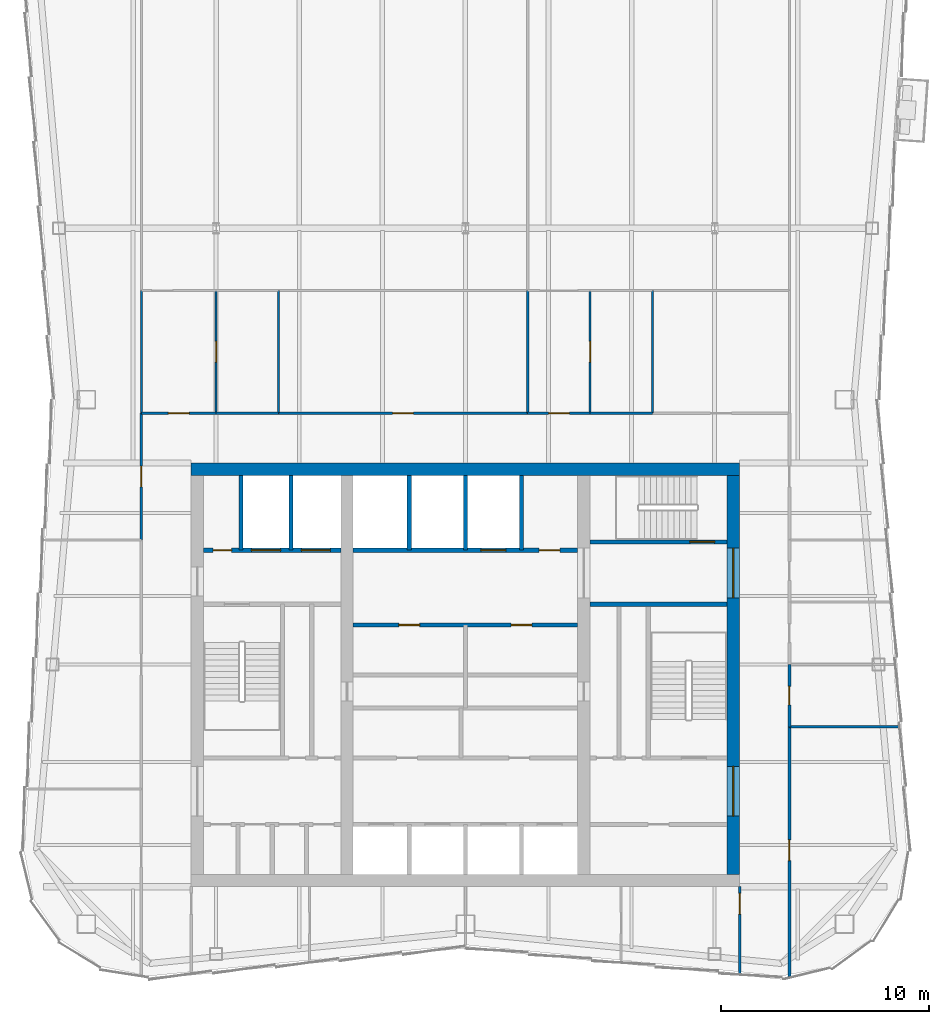
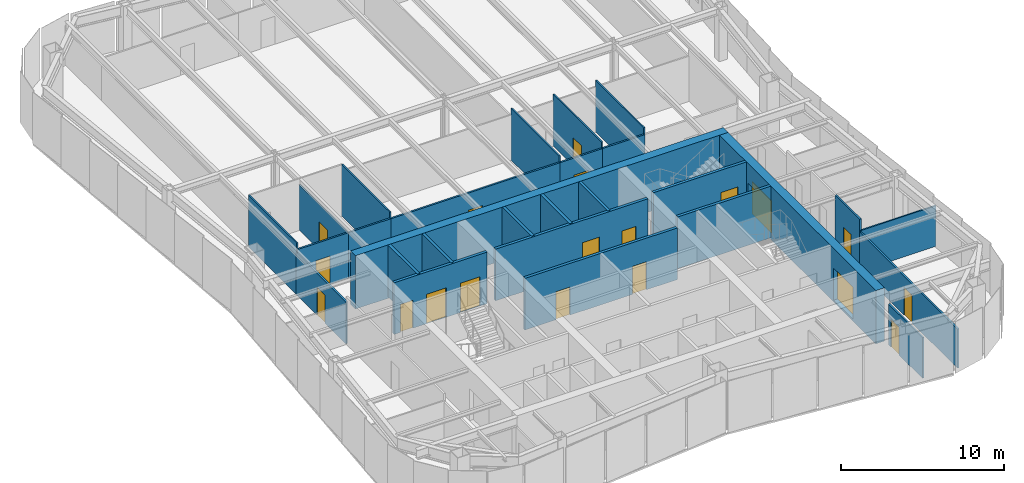
# One storey, part 7 of 11: 28 walls, 19 doors, 19 openings.
"""IFC4 building model written with IfcOpenShell, lengths in metres."""

from ifc_helpers import new_model, si_unit, direction, frame, frame_2d, origin, place, context, subcontext, project, spatial, rectangle, extrude, material, layer, layer_set, type_object, element, fill, save


model = new_model("IFC4")

# Units and contexts
model_context = context("Model", 3, precision=1e-05, world=origin(), true_north=direction((0.0, 1.0)))
body_context = subcontext(model_context, "Body", "Model", "MODEL_VIEW")
ifc_project = project(units=[si_unit("LENGTHUNIT", "METRE"), si_unit("AREAUNIT", "SQUARE_METRE"), si_unit("VOLUMEUNIT", "CUBIC_METRE"), si_unit("PLANEANGLEUNIT", "RADIAN"), si_unit("MASSUNIT", "GRAM", prefix="KILO")], contexts=[model_context])

# Site, building, storey
site_placement = place(None, origin())
site = spatial("IfcSite", under=ifc_project, at=site_placement, CompositionType="ELEMENT")
building_placement = place(site_placement, origin())
building = spatial("IfcBuilding", under=site, at=building_placement, Name="Verdant Reach Tower", CompositionType="ELEMENT")
storey_placement = place(building_placement, frame((0.0, 0.0, 298.0)))
storey = spatial("IfcBuildingStorey", under=building, at=storey_placement, Name="L68", CompositionType="ELEMENT", Elevation=298.0)

# Wall, openings, doors
ifc_material_1 = material(Name="Gypsum board on steel studs", Category="steel")
ifc_layer_1 = layer(ifc_material_1, 0.199951171875)
ifc_layer_set_1 = layer_set([ifc_layer_1], Name="CO-WALL-ROOM")
wall_type_1 = type_object("IfcWallType", Name="CO-WALL-ROOM", PredefinedType="PARTITIONING", material=ifc_layer_set_1)
wall_1_placement = place(storey_placement, frame((-5.39990234375, 30.39990234375, 0.0), z_axis=(0.0, 0.0, 1.0), x_axis=(1.0, 0.0, 0.0)))
wall_1 = element("IfcWall", 1, at=wall_1_placement, inside=storey, type_object=wall_type_1, Name="Core partition, L68", PredefinedType="PARTITIONING", context=body_context, shape_type="SweptSolid", body=[
    extrude(rectangle(XDim=10.7998046875, YDim=0.199951171875, at=frame_2d((5.39990234375, 0.0))), origin(), (0.0, 0.0, 1.0), 3.8701171875),
])
opening_1_placement = place(wall_1_placement, frame((2.199951171875, 0.0, 0.0)))
opening_1 = element("IfcOpeningElement", 2, at=opening_1_placement, cuts=wall_1, Name="Opening CD", PredefinedType="OPENING", context=body_context, shape_type="SweptSolid", body=[
    extrude(rectangle(XDim=1.0, YDim=2.10009765625, at=frame_2d((0.5, 1.050048828125))), frame((0.0, 0.10986328125, 0.0), z_axis=(0.0, -1.0, 0.0), x_axis=(1.0, 0.0, 0.0)), (0.0, 0.0, 1.0), 0.219970703125),
])
opening_2_placement = place(wall_1_placement, frame((7.60009765625, 0.0, 0.0)))
opening_2 = element("IfcOpeningElement", 3, at=opening_2_placement, cuts=wall_1, Name="Opening CD", PredefinedType="OPENING", context=body_context, shape_type="SweptSolid", body=[
    extrude(rectangle(XDim=1.0, YDim=2.10009765625, at=frame_2d((0.5, 1.050048828125))), frame((0.0, 0.10986328125, 0.0), z_axis=(0.0, -1.0, 0.0), x_axis=(1.0, 0.0, 0.0)), (0.0, 0.0, 1.0), 0.219970703125),
])
ifc_material_2 = material(Name="Timber", Category="wood")
door_type_1 = type_object("IfcDoorType", Name="CO-DOOR-ROOM", OperationType="NOTDEFINED", PredefinedType="DOOR", material=ifc_material_2)
door_1_placement = place(opening_1_placement, origin())
door_1 = element("IfcDoor", 4, at=door_1_placement, inside=storey, type_object=door_type_1, Name="Core room door, L68", OperationType="SINGLE_SWING_LEFT", OverallHeight=2.10009765625, OverallWidth=1.0, PredefinedType="DOOR", context=body_context, shape_type="SweptSolid", body=[
    extrude(rectangle(XDim=1.0, YDim=2.10009765625, at=frame_2d((0.5, 1.050048828125))), frame((0.0, 0.02490234375, 0.0), z_axis=(0.0, -1.0, 0.0), x_axis=(1.0, 0.0, 0.0)), (0.0, 0.0, 1.0), 0.050048828125),
])
fill(opening_1, door_1)
door_2_placement = place(opening_2_placement, origin())
door_2 = element("IfcDoor", 5, at=door_2_placement, inside=storey, type_object=door_type_1, Name="Core room door, L68", OperationType="SINGLE_SWING_RIGHT", OverallHeight=2.10009765625, OverallWidth=1.0, PredefinedType="DOOR", context=body_context, shape_type="SweptSolid", body=[
    extrude(rectangle(XDim=1.0, YDim=2.10009765625, at=frame_2d((0.5, 1.050048828125))), frame((0.0, 0.02490234375, 0.0), z_axis=(0.0, -1.0, 0.0), x_axis=(1.0, 0.0, 0.0)), (0.0, 0.0, 1.0), 0.050048828125),
])
fill(opening_2, door_2)

ifc_material_3 = material(Name="Concrete C40/50", Category="concrete")
ifc_layer_2 = layer(ifc_material_3, 0.199951171875)
ifc_layer_set_2 = layer_set([ifc_layer_2], Name="CO-WALL-SHAFT")
wall_type_2 = type_object("IfcWallType", Name="CO-WALL-SHAFT", PredefinedType="PARTITIONING", material=ifc_layer_set_2)
wall_2_placement = place(storey_placement, frame((-12.60009765625, 34.0, 0.0), z_axis=(0.0, 0.0, 1.0), x_axis=(1.0, 0.0, 0.0)))
wall_2 = element("IfcWall", 6, at=wall_2_placement, inside=storey, type_object=wall_type_2, Name="Lift shaft wall, L68", PredefinedType="PARTITIONING", context=body_context, shape_type="SweptSolid", body=[
    extrude(rectangle(XDim=6.60009765625, YDim=0.199951171875, at=frame_2d((3.300048828125, 0.0))), origin(), (0.0, 0.0, 1.0), 3.8701171875),
])
opening_3_placement = place(wall_2_placement, frame((4.699951171875, 0.0, 0.0)))
opening_3 = element("IfcOpeningElement", 7, at=opening_3_placement, cuts=wall_2, Name="Opening LD-F1", PredefinedType="OPENING", context=body_context, shape_type="SweptSolid", body=[
    extrude(rectangle(XDim=1.39990234375, YDim=2.199951171875, at=frame_2d((0.699951171875, 1.10009765625))), frame((0.0, 0.10986328125, 0.0), z_axis=(0.0, -1.0, 0.0), x_axis=(1.0, 0.0, 0.0)), (0.0, 0.0, 1.0), 0.219970703125),
])
opening_4_placement = place(wall_2_placement, frame((2.300048828125, 0.0, 0.0)))
opening_4 = element("IfcOpeningElement", 8, at=opening_4_placement, cuts=wall_2, Name="Opening LD-F2", PredefinedType="OPENING", context=body_context, shape_type="SweptSolid", body=[
    extrude(rectangle(XDim=1.39990234375, YDim=2.199951171875, at=frame_2d((0.699951171875, 1.10009765625))), frame((0.0, 0.10986328125, 0.0), z_axis=(0.0, -1.0, 0.0), x_axis=(1.0, 0.0, 0.0)), (0.0, 0.0, 1.0), 0.219970703125),
])
opening_5_placement = place(wall_2_placement, frame((0.449951171875, 0.0, 0.0)))
opening_5 = element("IfcOpeningElement", 9, at=opening_5_placement, cuts=wall_2, Name="Opening RD", PredefinedType="OPENING", context=body_context, shape_type="SweptSolid", body=[
    extrude(rectangle(XDim=0.89990234375, YDim=2.10009765625, at=frame_2d((0.449951171875, 1.050048828125))), frame((0.0, 0.10986328125, 0.0), z_axis=(0.0, -1.0, 0.0), x_axis=(1.0, 0.0, 0.0)), (0.0, 0.0, 1.0), 0.219970703125),
])
ifc_material_4 = material(Name="Stainless steel", Category="steel")
door_type_2 = type_object("IfcDoorType", Name="CO-DOOR-LANDING-FF", OperationType="SLIDING_TO_LEFT", PredefinedType="DOOR", material=ifc_material_4)
door_3_placement = place(opening_3_placement, origin())
door_3 = element("IfcDoor", 10, at=door_3_placement, inside=storey, type_object=door_type_2, Name="Landing door F1, L68", OperationType="SLIDING_TO_LEFT", OverallHeight=2.199951171875, OverallWidth=1.39990234375, PredefinedType="DOOR", context=body_context, shape_type="SweptSolid", body=[
    extrude(rectangle(XDim=1.39990234375, YDim=2.199951171875, at=frame_2d((0.699951171875, 1.10009765625))), frame((0.0, 0.02490234375, 0.0), z_axis=(0.0, -1.0, 0.0), x_axis=(1.0, 0.0, 0.0)), (0.0, 0.0, 1.0), 0.050048828125),
])
fill(opening_3, door_3)
door_4_placement = place(opening_4_placement, origin())
door_4 = element("IfcDoor", 11, at=door_4_placement, inside=storey, type_object=door_type_2, Name="Landing door F2, L68", OperationType="SLIDING_TO_LEFT", OverallHeight=2.199951171875, OverallWidth=1.39990234375, PredefinedType="DOOR", context=body_context, shape_type="SweptSolid", body=[
    extrude(rectangle(XDim=1.39990234375, YDim=2.199951171875, at=frame_2d((0.699951171875, 1.10009765625))), frame((0.0, 0.02490234375, 0.0), z_axis=(0.0, -1.0, 0.0), x_axis=(1.0, 0.0, 0.0)), (0.0, 0.0, 1.0), 0.050048828125),
])
fill(opening_4, door_4)
ifc_material_5 = material(Name="Steel", Category="steel")
door_type_3 = type_object("IfcDoorType", Name="CO-DOOR-RISER", OperationType="NOTDEFINED", PredefinedType="DOOR", material=ifc_material_5)
door_5_placement = place(opening_5_placement, origin())
door_5 = element("IfcDoor", 12, at=door_5_placement, inside=storey, type_object=door_type_3, Name="Core room door, L68", OperationType="SINGLE_SWING_RIGHT", OverallHeight=2.10009765625, OverallWidth=0.89990234375, PredefinedType="DOOR", context=body_context, shape_type="SweptSolid", body=[
    extrude(rectangle(XDim=0.89990234375, YDim=2.10009765625, at=frame_2d((0.449951171875, 1.050048828125))), frame((0.0, 0.02490234375, 0.0), z_axis=(0.0, -1.0, 0.0), x_axis=(1.0, 0.0, 0.0)), (0.0, 0.0, 1.0), 0.050048828125),
])
fill(opening_5, door_5)

wall_3_placement = place(storey_placement, frame((-5.39990234375, 34.0, 0.0), z_axis=(0.0, 0.0, 1.0), x_axis=(1.0, 0.0, 0.0)))
wall_3 = element("IfcWall", 13, at=wall_3_placement, inside=storey, type_object=wall_type_2, Name="Lift shaft wall, L68", PredefinedType="PARTITIONING", context=body_context, shape_type="SweptSolid", body=[
    extrude(rectangle(XDim=10.7998046875, YDim=0.199951171875, at=frame_2d((5.39990234375, 0.0))), origin(), (0.0, 0.0, 1.0), 3.8701171875),
])
opening_6_placement = place(wall_3_placement, frame((6.14990234375, 0.0, 0.0)))
opening_6 = element("IfcOpeningElement", 14, at=opening_6_placement, cuts=wall_3, Name="Opening LD-SL1", PredefinedType="OPENING", context=body_context, shape_type="SweptSolid", body=[
    extrude(rectangle(XDim=1.199951171875, YDim=2.199951171875, at=frame_2d((0.60009765625, 1.10009765625))), frame((0.0, 0.10986328125, 0.0), z_axis=(0.0, -1.0, 0.0), x_axis=(1.0, 0.0, 0.0)), (0.0, 0.0, 1.0), 0.219970703125),
])
opening_7_placement = place(wall_3_placement, frame((8.949951171875, 0.0, 0.0)))
opening_7 = element("IfcOpeningElement", 15, at=opening_7_placement, cuts=wall_3, Name="Opening CD", PredefinedType="OPENING", context=body_context, shape_type="SweptSolid", body=[
    extrude(rectangle(XDim=1.0, YDim=2.10009765625, at=frame_2d((0.5, 1.050048828125))), frame((0.0, 0.10986328125, 0.0), z_axis=(0.0, -1.0, 0.0), x_axis=(1.0, 0.0, 0.0)), (0.0, 0.0, 1.0), 0.219970703125),
])
door_type_4 = type_object("IfcDoorType", Name="CO-DOOR-LANDING", OperationType="SLIDING_TO_LEFT", PredefinedType="DOOR", material=ifc_material_4)
door_6_placement = place(opening_6_placement, origin())
door_6 = element("IfcDoor", 16, at=door_6_placement, inside=storey, type_object=door_type_4, Name="Landing door SL1, L68", OperationType="SLIDING_TO_LEFT", OverallHeight=2.199951171875, OverallWidth=1.199951171875, PredefinedType="DOOR", context=body_context, shape_type="SweptSolid", body=[
    extrude(rectangle(XDim=1.199951171875, YDim=2.199951171875, at=frame_2d((0.60009765625, 1.10009765625))), frame((0.0, 0.02490234375, 0.0), z_axis=(0.0, -1.0, 0.0), x_axis=(1.0, 0.0, 0.0)), (0.0, 0.0, 1.0), 0.050048828125),
])
fill(opening_6, door_6)
door_7_placement = place(opening_7_placement, origin())
door_7 = element("IfcDoor", 17, at=door_7_placement, inside=storey, type_object=door_type_1, Name="Core room door, L68", OperationType="SINGLE_SWING_LEFT", OverallHeight=2.10009765625, OverallWidth=1.0, PredefinedType="DOOR", context=body_context, shape_type="SweptSolid", body=[
    extrude(rectangle(XDim=1.0, YDim=2.10009765625, at=frame_2d((0.5, 1.050048828125))), frame((0.0, 0.02490234375, 0.0), z_axis=(0.0, -1.0, 0.0), x_axis=(1.0, 0.0, 0.0)), (0.0, 0.0, 1.0), 0.050048828125),
])
fill(opening_7, door_7)

# Walls
for number, where, z_axis, x_axis, name in (
    (18, (-10.800048828125, 34.0, 0.0), (0.0, 0.0, 1.0), (0.0, 1.0, 0.0), "Lift shaft wall, L68"),
    (19, (-8.39990234375, 34.0, 0.0), (0.0, 0.0, 1.0), (0.0, 1.0, 0.0), "Lift shaft wall, L68"),
    (20, (-2.699951171875, 34.0, 0.0), (0.0, 0.0, 1.0), (0.0, 1.0, 0.0), "Lift shaft wall, L68"),
    (21, (0.0, 34.0, 0.0), (0.0, 0.0, 1.0), (0.0, 1.0, 0.0), "Lift shaft wall, L68"),
    (22, (2.699951171875, 34.0, 0.0), (0.0, 0.0, 1.0), (0.0, 1.0, 0.0), "Lift shaft wall, L68"),
):
    element("IfcWall", number, at=place(storey_placement, frame(where, z_axis=z_axis, x_axis=x_axis)), inside=storey, type_object=wall_type_2, Name=name, PredefinedType="PARTITIONING", context=body_context, shape_type="SweptSolid", body=[
        extrude(rectangle(XDim=3.60009765625, YDim=0.199951171875, at=frame_2d((1.800048828125, 0.0))), origin(), (0.0, 0.0, 1.0), 3.8701171875),
    ])
ifc_layer_3 = layer(ifc_material_3, 0.199951171875)
ifc_layer_set_3 = layer_set([ifc_layer_3], Name="CO-WALL-STAIR")
wall_type_3 = type_object("IfcWallType", Name="CO-WALL-STAIR", PredefinedType="PARTITIONING", material=ifc_layer_set_3)
wall_4_placement = place(storey_placement, frame((6.0, 31.39990234375, 0.0), z_axis=(0.0, 0.0, 1.0), x_axis=(1.0, 0.0, 0.0)))
element("IfcWall", 23, at=wall_4_placement, inside=storey, type_object=wall_type_3, Name="Stair enclosure wall, L68", PredefinedType="PARTITIONING", context=body_context, shape_type="SweptSolid", body=[
    extrude(rectangle(XDim=6.60009765625, YDim=0.199951171875, at=frame_2d((3.300048828125, 0.0))), origin(), (0.0, 0.0, 1.0), 3.8701171875),
])

# Wall, opening, door
wall_5_placement = place(storey_placement, frame((6.0, 34.39990234375, 0.0), z_axis=(0.0, 0.0, 1.0), x_axis=(1.0, 0.0, 0.0)))
wall_5 = element("IfcWall", 24, at=wall_5_placement, inside=storey, type_object=wall_type_3, Name="Stair enclosure wall, L68", PredefinedType="PARTITIONING", context=body_context, shape_type="SweptSolid", body=[
    extrude(rectangle(XDim=6.60009765625, YDim=0.199951171875, at=frame_2d((3.300048828125, 0.0))), origin(), (0.0, 0.0, 1.0), 3.8701171875),
])
opening_8_placement = place(wall_5_placement, frame((4.800048828125, 0.0, 0.0)))
opening_8 = element("IfcOpeningElement", 25, at=opening_8_placement, cuts=wall_5, Name="Opening SD", PredefinedType="OPENING", context=body_context, shape_type="SweptSolid", body=[
    extrude(rectangle(XDim=1.199951171875, YDim=2.199951171875, at=frame_2d((0.60009765625, 1.10009765625))), frame((0.0, 0.10986328125, 0.0), z_axis=(0.0, -1.0, 0.0), x_axis=(1.0, 0.0, 0.0)), (0.0, 0.0, 1.0), 0.219970703125),
])
door_type_5 = type_object("IfcDoorType", Name="CO-DOOR-STAIR", OperationType="NOTDEFINED", PredefinedType="DOOR", material=ifc_material_5)
door_8_placement = place(opening_8_placement, origin())
door_8 = element("IfcDoor", 26, at=door_8_placement, inside=storey, type_object=door_type_5, Name="Stair door, L68", OperationType="SINGLE_SWING_RIGHT", OverallHeight=2.199951171875, OverallWidth=1.199951171875, PredefinedType="DOOR", context=body_context, shape_type="SweptSolid", body=[
    extrude(rectangle(XDim=1.199951171875, YDim=2.199951171875, at=frame_2d((0.60009765625, 1.10009765625))), frame((0.0, 0.02490234375, 0.0), z_axis=(0.0, -1.0, 0.0), x_axis=(1.0, 0.0, 0.0)), (0.0, 0.0, 1.0), 0.050048828125),
])
fill(opening_8, door_8)

# Walls
ifc_layer_4 = layer(ifc_material_1, 0.10009765625)
ifc_layer_set_4 = layer_set([ifc_layer_4], Name="FL-W1 Partition 100")
wall_type_4 = type_object("IfcWallType", Name="FL-W1 Partition 100", PredefinedType="PARTITIONING", material=ifc_layer_set_4)
wall_6_placement = place(storey_placement, frame((-15.60009765625, 40.60009765625, 0.0), z_axis=(0.0, 0.0, 1.0), x_axis=(0.0, 1.0, 0.0)))
element("IfcWall", 27, at=wall_6_placement, inside=storey, type_object=wall_type_4, Name="Partition 68.19", PredefinedType="PARTITIONING", context=body_context, shape_type="SweptSolid", body=[
    extrude(rectangle(XDim=5.89990234375, YDim=0.10009765625, at=frame_2d((2.949951171875, 0.0))), origin(), (0.0, 0.0, 1.0), 3.8701171875),
])
wall_7_placement = place(storey_placement, frame((20.916259765625, 25.5, 0.0), z_axis=(0.0, 0.0, 1.0), x_axis=(-1.0, 0.0, 0.0)))
element("IfcWall", 28, at=wall_7_placement, inside=storey, type_object=wall_type_4, Name="Partition 68.22", PredefinedType="PARTITIONING", context=body_context, shape_type="SweptSolid", body=[
    extrude(rectangle(XDim=5.316162109375, YDim=0.10009765625, at=frame_2d((2.658203125, 0.0))), origin(), (0.0, 0.0, 1.0), 3.0400390625),
])

# Wall, opening, door
wall_8_placement = place(storey_placement, frame((-12.0, 46.5, 0.0), z_axis=(0.0, 0.0, 1.0), x_axis=(0.0, -1.0, 0.0)))
wall_8 = element("IfcWall", 29, at=wall_8_placement, inside=storey, type_object=wall_type_4, Name="Partition 68.32", PredefinedType="PARTITIONING", context=body_context, shape_type="SweptSolid", body=[
    extrude(rectangle(XDim=5.89990234375, YDim=0.10009765625, at=frame_2d((2.949951171875, 0.0))), origin(), (0.0, 0.0, 1.0), 3.389892578125),
])
opening_9_placement = place(wall_8_placement, frame((2.449951171875, 0.0, 0.0)))
opening_9 = element("IfcOpeningElement", 30, at=opening_9_placement, cuts=wall_8, Name="Opening D3", PredefinedType="OPENING", context=body_context, shape_type="SweptSolid", body=[
    extrude(rectangle(XDim=1.0, YDim=2.10009765625, at=frame_2d((0.5, 1.050048828125))), frame((0.0, 0.06005859375, 0.0), z_axis=(0.0, -1.0, 0.0), x_axis=(1.0, 0.0, 0.0)), (0.0, 0.0, 1.0), 0.1201171875),
])
ifc_material_6 = material(Name="Painted timber door leaf", Category="wood")
door_type_6 = type_object("IfcDoorType", Name="FL-D3 Door 1000x2100", OperationType="NOTDEFINED", PredefinedType="DOOR", material=ifc_material_6)
door_9_placement = place(opening_9_placement, origin())
door_9 = element("IfcDoor", 31, at=door_9_placement, inside=storey, type_object=door_type_6, Name="Door 68-017", OperationType="SINGLE_SWING_LEFT", OverallHeight=2.10009765625, OverallWidth=1.0, PredefinedType="DOOR", context=body_context, shape_type="SweptSolid", body=[
    extrude(rectangle(XDim=1.0, YDim=2.10009765625, at=frame_2d((0.5, 1.050048828125))), frame((0.0, 0.02490234375, 0.0), z_axis=(0.0, -1.0, 0.0), x_axis=(1.0, 0.0, 0.0)), (0.0, 0.0, 1.0), 0.050048828125),
])
fill(opening_9, door_9)

# Walls
for number, where, z_axis, x_axis, name in (
    (32, (-9.0, 40.60009765625, 0.0), (0.0, 0.0, 1.0), (0.0, 1.0, 0.0), "Partition 68.34"),
    (33, (3.0, 40.60009765625, 0.0), (0.0, 0.0, 1.0), (0.0, 1.0, 0.0), "Partition 68.37"),
):
    element("IfcWall", number, at=place(storey_placement, frame(where, z_axis=z_axis, x_axis=x_axis)), inside=storey, type_object=wall_type_4, Name=name, PredefinedType="PARTITIONING", context=body_context, shape_type="SweptSolid", body=[
        extrude(rectangle(XDim=5.89990234375, YDim=0.10009765625, at=frame_2d((2.949951171875, 0.0))), origin(), (0.0, 0.0, 1.0), 3.8701171875),
    ])

# Wall, opening, door
wall_9_placement = place(storey_placement, frame((6.0, 46.5, 0.0), z_axis=(0.0, 0.0, 1.0), x_axis=(0.0, -1.0, 0.0)))
wall_9 = element("IfcWall", 34, at=wall_9_placement, inside=storey, type_object=wall_type_4, Name="Partition 68.43", PredefinedType="PARTITIONING", context=body_context, shape_type="SweptSolid", body=[
    extrude(rectangle(XDim=5.89990234375, YDim=0.10009765625, at=frame_2d((2.949951171875, 0.0))), origin(), (0.0, 0.0, 1.0), 3.8701171875),
])
opening_10_placement = place(wall_9_placement, frame((2.449951171875, 0.0, 0.0)))
opening_10 = element("IfcOpeningElement", 35, at=opening_10_placement, cuts=wall_9, Name="Opening D3", PredefinedType="OPENING", context=body_context, shape_type="SweptSolid", body=[
    extrude(rectangle(XDim=1.0, YDim=2.10009765625, at=frame_2d((0.5, 1.050048828125))), frame((0.0, 0.06005859375, 0.0), z_axis=(0.0, -1.0, 0.0), x_axis=(1.0, 0.0, 0.0)), (0.0, 0.0, 1.0), 0.1201171875),
])
door_10_placement = place(opening_10_placement, origin())
door_10 = element("IfcDoor", 36, at=door_10_placement, inside=storey, type_object=door_type_6, Name="Door 68-021", OperationType="SINGLE_SWING_LEFT", OverallHeight=2.10009765625, OverallWidth=1.0, PredefinedType="DOOR", context=body_context, shape_type="SweptSolid", body=[
    extrude(rectangle(XDim=1.0, YDim=2.10009765625, at=frame_2d((0.5, 1.050048828125))), frame((0.0, 0.02490234375, 0.0), z_axis=(0.0, -1.0, 0.0), x_axis=(1.0, 0.0, 0.0)), (0.0, 0.0, 1.0), 0.050048828125),
])
fill(opening_10, door_10)

# Wall
wall_10_placement = place(storey_placement, frame((9.0, 40.60009765625, 0.0), z_axis=(0.0, 0.0, 1.0), x_axis=(0.0, 1.0, 0.0)))
element("IfcWall", 37, at=wall_10_placement, inside=storey, type_object=wall_type_4, Name="Partition 68.45", PredefinedType="PARTITIONING", context=body_context, shape_type="SweptSolid", body=[
    extrude(rectangle(XDim=5.89990234375, YDim=0.10009765625, at=frame_2d((2.949951171875, 0.0))), origin(), (0.0, 0.0, 1.0), 3.8701171875),
])

# Wall, opening, door
ifc_material_7 = material(Name="Gypsum board on steel studs, fire rated", Category="steel")
ifc_layer_5 = layer(ifc_material_7, 0.125)
ifc_layer_set_5 = layer_set([ifc_layer_5], Name="FL-W2 Corridor wall 125")
wall_type_5 = type_object("IfcWallType", Name="FL-W2 Corridor wall 125", PredefinedType="PARTITIONING", material=ifc_layer_set_5)
wall_11_placement = place(storey_placement, frame((-15.60009765625, 34.5, 0.0), z_axis=(0.0, 0.0, 1.0), x_axis=(0.0, 1.0, 0.0)))
wall_11 = element("IfcWall", 38, at=wall_11_placement, inside=storey, type_object=wall_type_5, Name="Partition 68.03", PredefinedType="PARTITIONING", context=body_context, shape_type="SweptSolid", body=[
    extrude(rectangle(XDim=6.10400390625, YDim=0.125, at=frame_2d((3.052001953125, 0.0))), origin(), (0.0, 0.0, 1.0), 3.139892578125),
])
opening_11_placement = place(wall_11_placement, frame((2.552001953125, 0.0, 0.0)))
opening_11 = element("IfcOpeningElement", 39, at=opening_11_placement, cuts=wall_11, Name="Opening D2", PredefinedType="OPENING", context=body_context, shape_type="SweptSolid", body=[
    extrude(rectangle(XDim=1.0, YDim=2.10009765625, at=frame_2d((0.5, 1.050048828125))), frame((0.0, 0.072509765625, 0.0), z_axis=(0.0, -1.0, 0.0), x_axis=(1.0, 0.0, 0.0)), (0.0, 0.0, 1.0), 0.14501953125),
])
ifc_material_8 = material(Name="Timber door leaf, fire rated", Category="wood")
door_type_7 = type_object("IfcDoorType", Name="FL-D2 Entrance door 1000x2100 FD30", OperationType="NOTDEFINED", PredefinedType="DOOR", material=ifc_material_8)
door_11_placement = place(opening_11_placement, origin())
door_11 = element("IfcDoor", 40, at=door_11_placement, inside=storey, type_object=door_type_7, Name="Door 68-003", OperationType="SINGLE_SWING_LEFT", OverallHeight=2.10009765625, OverallWidth=1.0, PredefinedType="DOOR", context=body_context, shape_type="SweptSolid", body=[
    extrude(rectangle(XDim=1.0, YDim=2.10009765625, at=frame_2d((0.5, 1.050048828125))), frame((0.0, 0.02490234375, 0.0), z_axis=(0.0, -1.0, 0.0), x_axis=(1.0, 0.0, 0.0)), (0.0, 0.0, 1.0), 0.050048828125),
])
fill(opening_11, door_11)

wall_12_placement = place(storey_placement, frame((15.60009765625, 25.5, 0.0), z_axis=(0.0, 0.0, 1.0), x_axis=(0.0, -1.0, 0.0)))
wall_12 = element("IfcWall", 41, at=wall_12_placement, inside=storey, type_object=wall_type_5, Name="Partition 68.04", PredefinedType="PARTITIONING", context=body_context, shape_type="SweptSolid", body=[
    extrude(rectangle(XDim=12.010498046875, YDim=0.125, at=frame_2d((6.00537109375, 0.0))), origin(), (0.0, 0.0, 1.0), 2.929931640625),
])
opening_12_placement = place(wall_12_placement, frame((5.439697265625, 0.0, 0.0)))
opening_12 = element("IfcOpeningElement", 42, at=opening_12_placement, cuts=wall_12, Name="Opening D2", PredefinedType="OPENING", context=body_context, shape_type="SweptSolid", body=[
    extrude(rectangle(XDim=1.0, YDim=2.10009765625, at=frame_2d((0.5, 1.050048828125))), frame((0.0, 0.072509765625, 0.0), z_axis=(0.0, -1.0, 0.0), x_axis=(1.0, 0.0, 0.0)), (0.0, 0.0, 1.0), 0.14501953125),
])
door_12_placement = place(opening_12_placement, origin())
door_12 = element("IfcDoor", 43, at=door_12_placement, inside=storey, type_object=door_type_7, Name="Door 68-004", OperationType="SINGLE_SWING_LEFT", OverallHeight=2.10009765625, OverallWidth=1.0, PredefinedType="DOOR", context=body_context, shape_type="SweptSolid", body=[
    extrude(rectangle(XDim=1.0, YDim=2.10009765625, at=frame_2d((0.5, 1.050048828125))), frame((0.0, 0.02490234375, 0.0), z_axis=(0.0, -1.0, 0.0), x_axis=(1.0, 0.0, 0.0)), (0.0, 0.0, 1.0), 0.050048828125),
])
fill(opening_12, door_12)

wall_13_placement = place(storey_placement, frame((15.60009765625, 28.5, 0.0), z_axis=(0.0, 0.0, 1.0), x_axis=(0.0, -1.0, 0.0)))
wall_13 = element("IfcWall", 44, at=wall_13_placement, inside=storey, type_object=wall_type_5, Name="Partition 68.05", PredefinedType="PARTITIONING", context=body_context, shape_type="SweptSolid", body=[
    extrude(rectangle(XDim=3.0, YDim=0.125, at=frame_2d((1.5, 0.0))), origin(), (0.0, 0.0, 1.0), 3.8701171875),
])
opening_13_placement = place(wall_13_placement, frame((1.050048828125, 0.0, 0.0)))
opening_13 = element("IfcOpeningElement", 45, at=opening_13_placement, cuts=wall_13, Name="Opening D1", PredefinedType="OPENING", context=body_context, shape_type="SweptSolid", body=[
    extrude(rectangle(XDim=0.89990234375, YDim=2.10009765625, at=frame_2d((0.449951171875, 1.050048828125))), frame((0.0, 0.072509765625, 0.0), z_axis=(0.0, -1.0, 0.0), x_axis=(1.0, 0.0, 0.0)), (0.0, 0.0, 1.0), 0.14501953125),
])
door_type_8 = type_object("IfcDoorType", Name="FL-D1 Door 900x2100", OperationType="NOTDEFINED", PredefinedType="DOOR", material=ifc_material_6)
door_13_placement = place(opening_13_placement, origin())
door_13 = element("IfcDoor", 46, at=door_13_placement, inside=storey, type_object=door_type_8, Name="Door 68-005", OperationType="SINGLE_SWING_LEFT", OverallHeight=2.10009765625, OverallWidth=0.89990234375, PredefinedType="DOOR", context=body_context, shape_type="SweptSolid", body=[
    extrude(rectangle(XDim=0.89990234375, YDim=2.10009765625, at=frame_2d((0.449951171875, 1.050048828125))), frame((0.0, 0.02490234375, 0.0), z_axis=(0.0, -1.0, 0.0), x_axis=(1.0, 0.0, 0.0)), (0.0, 0.0, 1.0), 0.050048828125),
])
fill(opening_13, door_13)

wall_14_placement = place(storey_placement, frame((13.199951171875, 13.62158203125, 0.0), z_axis=(0.0, 0.0, 1.0), x_axis=(0.0, 1.0, 0.0)))
wall_14 = element("IfcWall", 47, at=wall_14_placement, inside=storey, type_object=wall_type_5, Name="Partition 68.10", PredefinedType="PARTITIONING", context=body_context, shape_type="SweptSolid", body=[
    extrude(rectangle(XDim=4.178466796875, YDim=0.125, at=frame_2d((2.08935546875, 0.0))), origin(), (0.0, 0.0, 1.0), 3.0400390625),
])
opening_14_placement = place(wall_14_placement, frame((2.854248046875, 0.0, 0.0)))
opening_14 = element("IfcOpeningElement", 48, at=opening_14_placement, cuts=wall_14, Name="Opening D2", PredefinedType="OPENING", context=body_context, shape_type="SweptSolid", body=[
    extrude(rectangle(XDim=1.0, YDim=2.10009765625, at=frame_2d((0.5, 1.050048828125))), frame((0.0, 0.072509765625, 0.0), z_axis=(0.0, -1.0, 0.0), x_axis=(1.0, 0.0, 0.0)), (0.0, 0.0, 1.0), 0.14501953125),
])
door_14_placement = place(opening_14_placement, origin())
door_14 = element("IfcDoor", 49, at=door_14_placement, inside=storey, type_object=door_type_7, Name="Door 68-010", OperationType="SINGLE_SWING_RIGHT", OverallHeight=2.10009765625, OverallWidth=1.0, PredefinedType="DOOR", context=body_context, shape_type="SweptSolid", body=[
    extrude(rectangle(XDim=1.0, YDim=2.10009765625, at=frame_2d((0.5, 1.050048828125))), frame((0.0, 0.02490234375, 0.0), z_axis=(0.0, -1.0, 0.0), x_axis=(1.0, 0.0, 0.0)), (0.0, 0.0, 1.0), 0.050048828125),
])
fill(opening_14, door_14)

wall_15_placement = place(storey_placement, frame((-15.60009765625, 40.60009765625, 0.0), z_axis=(0.0, 0.0, 1.0), x_axis=(1.0, 0.0, 0.0)))
wall_15 = element("IfcWall", 50, at=wall_15_placement, inside=storey, type_object=wall_type_5, Name="Partition 68.11", PredefinedType="PARTITIONING", context=body_context, shape_type="SweptSolid", body=[
    extrude(rectangle(XDim=3.60009765625, YDim=0.125, at=frame_2d((1.800048828125, 0.0))), origin(), (0.0, 0.0, 1.0), 3.389892578125),
])
opening_15_placement = place(wall_15_placement, frame((1.300048828125, 0.0, 0.0)))
opening_15 = element("IfcOpeningElement", 51, at=opening_15_placement, cuts=wall_15, Name="Opening D2", PredefinedType="OPENING", context=body_context, shape_type="SweptSolid", body=[
    extrude(rectangle(XDim=1.0, YDim=2.10009765625, at=frame_2d((0.5, 1.050048828125))), frame((0.0, 0.072509765625, 0.0), z_axis=(0.0, -1.0, 0.0), x_axis=(1.0, 0.0, 0.0)), (0.0, 0.0, 1.0), 0.14501953125),
])
door_15_placement = place(opening_15_placement, origin())
door_15 = element("IfcDoor", 52, at=door_15_placement, inside=storey, type_object=door_type_7, Name="Door 68-011", OperationType="SINGLE_SWING_LEFT", OverallHeight=2.10009765625, OverallWidth=1.0, PredefinedType="DOOR", context=body_context, shape_type="SweptSolid", body=[
    extrude(rectangle(XDim=1.0, YDim=2.10009765625, at=frame_2d((0.5, 1.050048828125))), frame((0.0, 0.02490234375, 0.0), z_axis=(0.0, -1.0, 0.0), x_axis=(1.0, 0.0, 0.0)), (0.0, 0.0, 1.0), 0.050048828125),
])
fill(opening_15, door_15)

# Wall
wall_16_placement = place(storey_placement, frame((-9.0, 40.60009765625, 0.0), z_axis=(0.0, 0.0, 1.0), x_axis=(-1.0, 0.0, 0.0)))
element("IfcWall", 53, at=wall_16_placement, inside=storey, type_object=wall_type_5, Name="Partition 68.12", PredefinedType="PARTITIONING", context=body_context, shape_type="SweptSolid", body=[
    extrude(rectangle(XDim=3.0, YDim=0.125, at=frame_2d((1.5, 0.0))), origin(), (0.0, 0.0, 1.0), 3.389892578125),
])

# Wall, opening, door
wall_17_placement = place(storey_placement, frame((-9.0, 40.60009765625, 0.0), z_axis=(0.0, 0.0, 1.0), x_axis=(1.0, 0.0, 0.0)))
wall_17 = element("IfcWall", 54, at=wall_17_placement, inside=storey, type_object=wall_type_5, Name="Partition 68.13", PredefinedType="PARTITIONING", context=body_context, shape_type="SweptSolid", body=[
    extrude(rectangle(XDim=12.0, YDim=0.125, at=frame_2d((6.0, 0.0))), origin(), (0.0, 0.0, 1.0), 3.389892578125),
])
opening_16_placement = place(wall_17_placement, frame((5.5, 0.0, 0.0)))
opening_16 = element("IfcOpeningElement", 55, at=opening_16_placement, cuts=wall_17, Name="Opening D2", PredefinedType="OPENING", context=body_context, shape_type="SweptSolid", body=[
    extrude(rectangle(XDim=1.0, YDim=2.10009765625, at=frame_2d((0.5, 1.050048828125))), frame((0.0, 0.072509765625, 0.0), z_axis=(0.0, -1.0, 0.0), x_axis=(1.0, 0.0, 0.0)), (0.0, 0.0, 1.0), 0.14501953125),
])
door_16_placement = place(opening_16_placement, origin())
door_16 = element("IfcDoor", 56, at=door_16_placement, inside=storey, type_object=door_type_7, Name="Door 68-012", OperationType="SINGLE_SWING_RIGHT", OverallHeight=2.10009765625, OverallWidth=1.0, PredefinedType="DOOR", context=body_context, shape_type="SweptSolid", body=[
    extrude(rectangle(XDim=1.0, YDim=2.10009765625, at=frame_2d((0.5, 1.050048828125))), frame((0.0, 0.02490234375, 0.0), z_axis=(0.0, -1.0, 0.0), x_axis=(1.0, 0.0, 0.0)), (0.0, 0.0, 1.0), 0.050048828125),
])
fill(opening_16, door_16)

wall_18_placement = place(storey_placement, frame((3.0, 40.60009765625, 0.0), z_axis=(0.0, 0.0, 1.0), x_axis=(1.0, 0.0, 0.0)))
wall_18 = element("IfcWall", 57, at=wall_18_placement, inside=storey, type_object=wall_type_5, Name="Partition 68.14", PredefinedType="PARTITIONING", context=body_context, shape_type="SweptSolid", body=[
    extrude(rectangle(XDim=3.0, YDim=0.125, at=frame_2d((1.5, 0.0))), origin(), (0.0, 0.0, 1.0), 3.389892578125),
])
opening_17_placement = place(wall_18_placement, frame((1.0, 0.0, 0.0)))
opening_17 = element("IfcOpeningElement", 58, at=opening_17_placement, cuts=wall_18, Name="Opening D2", PredefinedType="OPENING", context=body_context, shape_type="SweptSolid", body=[
    extrude(rectangle(XDim=1.0, YDim=2.10009765625, at=frame_2d((0.5, 1.050048828125))), frame((0.0, 0.072509765625, 0.0), z_axis=(0.0, -1.0, 0.0), x_axis=(1.0, 0.0, 0.0)), (0.0, 0.0, 1.0), 0.14501953125),
])
door_17_placement = place(opening_17_placement, origin())
door_17 = element("IfcDoor", 59, at=door_17_placement, inside=storey, type_object=door_type_7, Name="Door 68-013", OperationType="SINGLE_SWING_LEFT", OverallHeight=2.10009765625, OverallWidth=1.0, PredefinedType="DOOR", context=body_context, shape_type="SweptSolid", body=[
    extrude(rectangle(XDim=1.0, YDim=2.10009765625, at=frame_2d((0.5, 1.050048828125))), frame((0.0, 0.02490234375, 0.0), z_axis=(0.0, -1.0, 0.0), x_axis=(1.0, 0.0, 0.0)), (0.0, 0.0, 1.0), 0.050048828125),
])
fill(opening_17, door_17)

# Walls
wall_19_placement = place(storey_placement, frame((9.0, 40.60009765625, 0.0), z_axis=(0.0, 0.0, 1.0), x_axis=(-1.0, 0.0, 0.0)))
element("IfcWall", 60, at=wall_19_placement, inside=storey, type_object=wall_type_5, Name="Partition 68.15", PredefinedType="PARTITIONING", context=body_context, shape_type="SweptSolid", body=[
    extrude(rectangle(XDim=3.0, YDim=0.125, at=frame_2d((1.5, 0.0))), origin(), (0.0, 0.0, 1.0), 3.389892578125),
])
ifc_material_9 = material(Name="Concrete C70/85", Category="concrete")
ifc_layer_6 = layer(ifc_material_9, 0.60009765625)
ifc_layer_set_6 = layer_set([ifc_layer_6], Name="ST-CORE-WALL-600")
wall_type_6 = type_object("IfcWallType", Name="ST-CORE-WALL-600", PredefinedType="SHEAR", material=ifc_layer_set_6)
wall_20_placement = place(storey_placement, frame((-13.199951171875, 37.89990234375, -0.1298828125), z_axis=(0.0, 0.0, 1.0), x_axis=(1.0, 0.0, 0.0)))
element("IfcWall", 61, at=wall_20_placement, inside=storey, type_object=wall_type_6, Name="Core wall N, L68", PredefinedType="SHEAR", context=body_context, shape_type="SweptSolid", body=[
    extrude(rectangle(XDim=26.39990234375, YDim=0.60009765625, at=frame_2d((13.199951171875, 0.0))), origin(), (0.0, 0.0, 1.0), 4.0),
])

# Wall, openings, doors
wall_21_placement = place(storey_placement, frame((12.89990234375, 18.39990234375, -0.1298828125), z_axis=(0.0, 0.0, 1.0), x_axis=(0.0, 1.0, 0.0)))
wall_21 = element("IfcWall", 62, at=wall_21_placement, inside=storey, type_object=wall_type_6, Name="Core wall E, L68", PredefinedType="SHEAR", context=body_context, shape_type="SweptSolid", body=[
    extrude(rectangle(XDim=19.2001953125, YDim=0.60009765625, at=frame_2d((9.60009765625, 0.0))), origin(), (0.0, 0.0, 1.0), 4.0),
])
opening_18_placement = place(wall_21_placement, frame((2.800048828125, 0.0, 0.1298828125)))
opening_18 = element("IfcOpeningElement", 63, at=opening_18_placement, cuts=wall_21, Name="Opening LB", PredefinedType="OPENING", context=body_context, shape_type="SweptSolid", body=[
    extrude(rectangle(XDim=2.39990234375, YDim=2.39990234375, at=frame_2d((1.199951171875, 1.199951171875))), frame((0.0, 0.31005859375, 0.0), z_axis=(0.0, -1.0, 0.0), x_axis=(1.0, 0.0, 0.0)), (0.0, 0.0, 1.0), 0.6201171875),
])
opening_19_placement = place(wall_21_placement, frame((13.300048828125, 0.0, 0.1298828125)))
opening_19 = element("IfcOpeningElement", 64, at=opening_19_placement, cuts=wall_21, Name="Opening LB", PredefinedType="OPENING", context=body_context, shape_type="SweptSolid", body=[
    extrude(rectangle(XDim=2.39990234375, YDim=2.39990234375, at=frame_2d((1.199951171875, 1.199951171875))), frame((0.0, 0.31005859375, 0.0), z_axis=(0.0, -1.0, 0.0), x_axis=(1.0, 0.0, 0.0)), (0.0, 0.0, 1.0), 0.6201171875),
])
ifc_material_10 = material(Name="Glass and steel", Category="steel")
door_type_9 = type_object("IfcDoorType", Name="CO-DOOR-LOBBY", OperationType="DOUBLE_DOOR_SINGLE_SWING", PredefinedType="DOOR", material=ifc_material_10)
door_18_placement = place(opening_18_placement, origin())
door_18 = element("IfcDoor", 65, at=door_18_placement, inside=storey, type_object=door_type_9, Name="Core entrance door, L68", OperationType="DOUBLE_DOOR_SINGLE_SWING", OverallHeight=2.39990234375, OverallWidth=2.39990234375, PredefinedType="DOOR", context=body_context, shape_type="SweptSolid", body=[
    extrude(rectangle(XDim=2.39990234375, YDim=2.39990234375, at=frame_2d((1.199951171875, 1.199951171875))), frame((0.0, 0.02490234375, 0.0), z_axis=(0.0, -1.0, 0.0), x_axis=(1.0, 0.0, 0.0)), (0.0, 0.0, 1.0), 0.050048828125),
])
fill(opening_18, door_18)
door_19_placement = place(opening_19_placement, origin())
door_19 = element("IfcDoor", 66, at=door_19_placement, inside=storey, type_object=door_type_9, Name="Core entrance door, L68", OperationType="DOUBLE_DOOR_SINGLE_SWING", OverallHeight=2.39990234375, OverallWidth=2.39990234375, PredefinedType="DOOR", context=body_context, shape_type="SweptSolid", body=[
    extrude(rectangle(XDim=2.39990234375, YDim=2.39990234375, at=frame_2d((1.199951171875, 1.199951171875))), frame((0.0, 0.02490234375, 0.0), z_axis=(0.0, -1.0, 0.0), x_axis=(1.0, 0.0, 0.0)), (0.0, 0.0, 1.0), 0.050048828125),
])
fill(opening_19, door_19)

save(model, "model.ifc")
